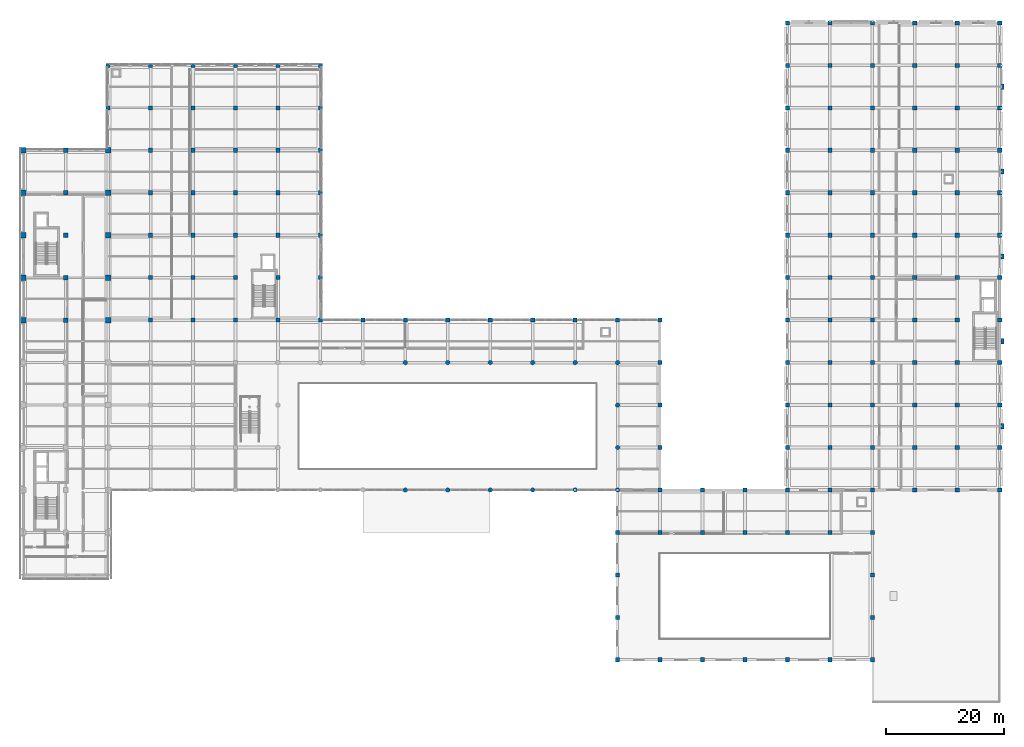
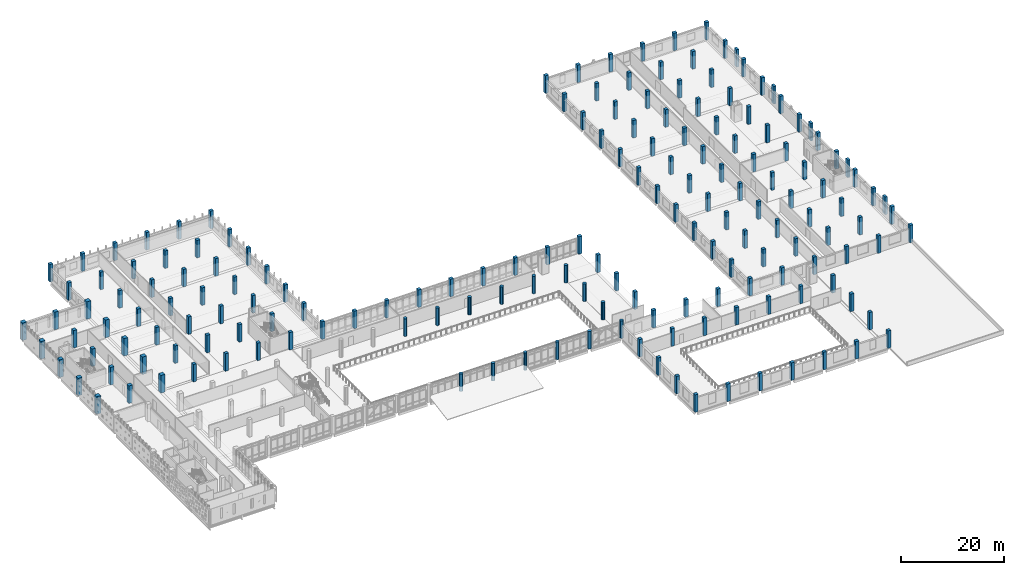
# One storey, part 3 of 57: 175 columns.
"""IFC4 building model written with IfcOpenShell, lengths in metres."""

from ifc_helpers import new_model, si_unit, direction, frame, origin, origin_2d, place, context, subcontext, project, spatial, rectangle, circle, extrude, material, material_profile, profile_set, type_object, element, save


model = new_model("IFC4")

# Units and contexts
model_context = context("Model", 3, precision=1e-05, world=origin(), true_north=direction((0.0, 1.0)))
body_context = subcontext(model_context, "Body", "Model", "MODEL_VIEW")
ifc_project = project(units=[si_unit("LENGTHUNIT", "METRE"), si_unit("AREAUNIT", "SQUARE_METRE"), si_unit("VOLUMEUNIT", "CUBIC_METRE"), si_unit("PLANEANGLEUNIT", "RADIAN"), si_unit("MASSUNIT", "GRAM", prefix="KILO")], contexts=[model_context])

# Site, building, storey
site_placement = place(None, origin())
site = spatial("IfcSite", under=ifc_project, at=site_placement, CompositionType="ELEMENT")
building_placement = place(site_placement, origin())
building = spatial("IfcBuilding", under=site, at=building_placement, Name="Valkovuoma Quantum and Materials Research Institute", CompositionType="ELEMENT")
storey_placement = place(building_placement, frame((0.0, 0.0, 4.800048828125)))
storey = spatial("IfcBuildingStorey", under=building, at=storey_placement, Name="L01", CompositionType="ELEMENT", Elevation=4.800048828125)

# Columns
ifc_material_1 = material(Name="Concrete C40/50", Category="concrete")
ifc_material_profile_1 = material_profile(ifc_material_1, rectangle(XDim=0.5, YDim=0.89990234375, at=origin_2d()), Name="Concrete C40/50")
ifc_profile_set_1 = profile_set([ifc_material_profile_1], Name="Concrete C40/50")
column_type_1 = type_object("IfcColumnType", Name="Col-C-PIL900", PredefinedType="PILASTER", material=ifc_profile_set_1)
for number, where, z_axis, x_axis, name in (
    (1, (166.080078125, 46.800048828125, 0.0), (0.0, 0.0, 1.0), (1.0, 0.0, 0.0), "L01 service spine pilaster 01"),
    (2, (166.080078125, 61.199951171875, 0.0), (0.0, 0.0, 1.0), (1.0, 0.0, 0.0), "L01 service spine pilaster 02"),
    (3, (166.080078125, 75.60009765625, 0.0), (0.0, 0.0, 1.0), (1.0, 0.0, 0.0), "L01 service spine pilaster 03"),
    (4, (166.080078125, 90.0, 0.0), (0.0, 0.0, 1.0), (1.0, 0.0, 0.0), "L01 service spine pilaster 04"),
    (5, (166.080078125, 104.39990234375, 0.0), (0.0, 0.0, 1.0), (1.0, 0.0, 0.0), "L01 service spine pilaster 05"),
):
    element("IfcColumn", number, at=place(storey_placement, frame(where, z_axis=z_axis, x_axis=x_axis)), inside=storey, type_object=column_type_1, Name=name, PredefinedType="PILASTER", context=body_context, shape_type="SweptSolid", body=[
        extrude(rectangle(XDim=0.5, YDim=0.89990234375, at=origin_2d()), origin(), (0.0, 0.0, 1.0), 4.159912109375),
    ])
ifc_material_2 = material(Name="Concrete C40/50", Category="concrete")
ifc_material_profile_2 = material_profile(ifc_material_2, rectangle(XDim=0.699951171875, YDim=0.699951171875, at=origin_2d()), Name="Concrete C40/50")
ifc_profile_set_2 = profile_set([ifc_material_profile_2], Name="Concrete C40/50")
column_type_2 = type_object("IfcColumnType", Name="Col-C-RC700", PredefinedType="COLUMN", material=ifc_profile_set_2)
for number, where, z_axis, x_axis, name in (
    (6, (14.39990234375, 100.800048828125, 0.0), (0.0, 0.0, 1.0), (1.0, 0.0, 0.0), "L01 column 03Q"),
    (7, (14.39990234375, 108.0, 0.0), (0.0, 0.0, 1.0), (1.0, 0.0, 0.0), "L01 column 03R"),
    (8, (21.60009765625, 64.800048828125, 0.0), (0.0, 0.0, 1.0), (1.0, 0.0, 0.0), "L01 column 04K"),
    (9, (21.60009765625, 72.0, 0.0), (0.0, 0.0, 1.0), (1.0, 0.0, 0.0), "L01 column 04L"),
    (10, (21.60009765625, 79.199951171875, 0.0), (0.0, 0.0, 1.0), (1.0, 0.0, 0.0), "L01 column 04M"),
    (11, (21.60009765625, 86.39990234375, 0.0), (0.0, 0.0, 1.0), (1.0, 0.0, 0.0), "L01 column 04N"),
    (12, (21.60009765625, 93.60009765625, 0.0), (0.0, 0.0, 1.0), (1.0, 0.0, 0.0), "L01 column 04P"),
    (13, (21.60009765625, 100.800048828125, 0.0), (0.0, 0.0, 1.0), (1.0, 0.0, 0.0), "L01 column 04Q"),
    (14, (21.60009765625, 108.0, 0.0), (0.0, 0.0, 1.0), (1.0, 0.0, 0.0), "L01 column 04R"),
    (15, (28.800048828125, 64.800048828125, 0.0), (0.0, 0.0, 1.0), (1.0, 0.0, 0.0), "L01 column 05K"),
    (16, (28.800048828125, 72.0, 0.0), (0.0, 0.0, 1.0), (1.0, 0.0, 0.0), "L01 column 05L"),
    (17, (28.800048828125, 79.199951171875, 0.0), (0.0, 0.0, 1.0), (1.0, 0.0, 0.0), "L01 column 05M"),
    (18, (28.800048828125, 86.39990234375, 0.0), (0.0, 0.0, 1.0), (1.0, 0.0, 0.0), "L01 column 05N"),
    (19, (28.800048828125, 93.60009765625, 0.0), (0.0, 0.0, 1.0), (1.0, 0.0, 0.0), "L01 column 05P"),
    (20, (28.800048828125, 100.800048828125, 0.0), (0.0, 0.0, 1.0), (1.0, 0.0, 0.0), "L01 column 05Q"),
    (21, (28.800048828125, 108.0, 0.0), (0.0, 0.0, 1.0), (1.0, 0.0, 0.0), "L01 column 05R"),
    (22, (36.0, 64.800048828125, 0.0), (0.0, 0.0, 1.0), (1.0, 0.0, 0.0), "L01 column 06K"),
    (23, (36.0, 72.0, 0.0), (0.0, 0.0, 1.0), (1.0, 0.0, 0.0), "L01 column 06L"),
    (24, (36.0, 79.199951171875, 0.0), (0.0, 0.0, 1.0), (1.0, 0.0, 0.0), "L01 column 06M"),
    (25, (36.0, 86.39990234375, 0.0), (0.0, 0.0, 1.0), (1.0, 0.0, 0.0), "L01 column 06N"),
    (26, (36.0, 93.60009765625, 0.0), (0.0, 0.0, 1.0), (1.0, 0.0, 0.0), "L01 column 06P"),
    (27, (36.0, 100.800048828125, 0.0), (0.0, 0.0, 1.0), (1.0, 0.0, 0.0), "L01 column 06Q"),
    (28, (36.0, 108.0, 0.0), (0.0, 0.0, 1.0), (1.0, 0.0, 0.0), "L01 column 06R"),
    (29, (43.199951171875, 64.800048828125, 0.0), (0.0, 0.0, 1.0), (1.0, 0.0, 0.0), "L01 column 07K"),
    (30, (43.199951171875, 72.0, 0.0), (0.0, 0.0, 1.0), (1.0, 0.0, 0.0), "L01 column 07L"),
    (31, (43.199951171875, 79.199951171875, 0.0), (0.0, 0.0, 1.0), (1.0, 0.0, 0.0), "L01 column 07M"),
    (32, (43.199951171875, 86.39990234375, 0.0), (0.0, 0.0, 1.0), (1.0, 0.0, 0.0), "L01 column 07N"),
    (33, (43.199951171875, 93.60009765625, 0.0), (0.0, 0.0, 1.0), (1.0, 0.0, 0.0), "L01 column 07P"),
    (34, (43.199951171875, 100.800048828125, 0.0), (0.0, 0.0, 1.0), (1.0, 0.0, 0.0), "L01 column 07Q"),
    (35, (43.199951171875, 108.0, 0.0), (0.0, 0.0, 1.0), (1.0, 0.0, 0.0), "L01 column 07R"),
    (36, (50.39990234375, 64.800048828125, 0.0), (0.0, 0.0, 1.0), (1.0, 0.0, 0.0), "L01 column 08K"),
    (37, (50.39990234375, 72.0, 0.0), (0.0, 0.0, 1.0), (1.0, 0.0, 0.0), "L01 column 08L"),
    (38, (50.39990234375, 79.199951171875, 0.0), (0.0, 0.0, 1.0), (1.0, 0.0, 0.0), "L01 column 08M"),
    (39, (50.39990234375, 86.39990234375, 0.0), (0.0, 0.0, 1.0), (1.0, 0.0, 0.0), "L01 column 08N"),
    (40, (50.39990234375, 93.60009765625, 0.0), (0.0, 0.0, 1.0), (1.0, 0.0, 0.0), "L01 column 08P"),
    (41, (50.39990234375, 100.800048828125, 0.0), (0.0, 0.0, 1.0), (1.0, 0.0, 0.0), "L01 column 08Q"),
    (42, (50.39990234375, 108.0, 0.0), (0.0, 0.0, 1.0), (1.0, 0.0, 0.0), "L01 column 08R"),
    (43, (57.60009765625, 64.800048828125, 0.0), (0.0, 0.0, 1.0), (1.0, 0.0, 0.0), "L01 column 09K"),
    (44, (64.800048828125, 64.800048828125, 0.0), (0.0, 0.0, 1.0), (1.0, 0.0, 0.0), "L01 column 10K"),
    (45, (72.0, 64.800048828125, 0.0), (0.0, 0.0, 1.0), (1.0, 0.0, 0.0), "L01 column 11K"),
    (46, (79.199951171875, 64.800048828125, 0.0), (0.0, 0.0, 1.0), (1.0, 0.0, 0.0), "L01 column 12K"),
    (47, (86.39990234375, 64.800048828125, 0.0), (0.0, 0.0, 1.0), (1.0, 0.0, 0.0), "L01 column 13K"),
    (48, (93.60009765625, 64.800048828125, 0.0), (0.0, 0.0, 1.0), (1.0, 0.0, 0.0), "L01 column 14K"),
    (49, (100.800048828125, 7.199951171875, 0.0), (0.0, 0.0, 1.0), (1.0, 0.0, 0.0), "L01 column 15B"),
    (50, (100.800048828125, 14.39990234375, 0.0), (0.0, 0.0, 1.0), (1.0, 0.0, 0.0), "L01 column 15C"),
    (51, (100.800048828125, 21.60009765625, 0.0), (0.0, 0.0, 1.0), (1.0, 0.0, 0.0), "L01 column 15D"),
    (52, (100.800048828125, 28.800048828125, 0.0), (0.0, 0.0, 1.0), (1.0, 0.0, 0.0), "L01 column 15E"),
    (53, (100.800048828125, 64.800048828125, 0.0), (0.0, 0.0, 1.0), (1.0, 0.0, 0.0), "L01 column 15K"),
    (54, (108.0, 7.199951171875, 0.0), (0.0, 0.0, 1.0), (1.0, 0.0, 0.0), "L01 column 16B"),
    (55, (108.0, 28.800048828125, 0.0), (0.0, 0.0, 1.0), (1.0, 0.0, 0.0), "L01 column 16E"),
    (56, (108.0, 36.0, 0.0), (0.0, 0.0, 1.0), (1.0, 0.0, 0.0), "L01 column 16F"),
    (57, (108.0, 43.199951171875, 0.0), (0.0, 0.0, 1.0), (1.0, 0.0, 0.0), "L01 column 16G"),
    (58, (108.0, 50.39990234375, 0.0), (0.0, 0.0, 1.0), (1.0, 0.0, 0.0), "L01 column 16H"),
    (59, (108.0, 57.60009765625, 0.0), (0.0, 0.0, 1.0), (1.0, 0.0, 0.0), "L01 column 16J"),
    (60, (108.0, 64.800048828125, 0.0), (0.0, 0.0, 1.0), (1.0, 0.0, 0.0), "L01 column 16K"),
    (61, (115.199951171875, 7.199951171875, 0.0), (0.0, 0.0, 1.0), (1.0, 0.0, 0.0), "L01 column 17B"),
    (62, (115.199951171875, 28.800048828125, 0.0), (0.0, 0.0, 1.0), (1.0, 0.0, 0.0), "L01 column 17E"),
    (63, (115.199951171875, 36.0, 0.0), (0.0, 0.0, 1.0), (1.0, 0.0, 0.0), "L01 column 17F"),
    (64, (122.39990234375, 7.199951171875, 0.0), (0.0, 0.0, 1.0), (1.0, 0.0, 0.0), "L01 column 18B"),
    (65, (122.39990234375, 28.800048828125, 0.0), (0.0, 0.0, 1.0), (1.0, 0.0, 0.0), "L01 column 18E"),
    (66, (122.39990234375, 36.0, 0.0), (0.0, 0.0, 1.0), (1.0, 0.0, 0.0), "L01 column 18F"),
    (67, (129.60009765625, 7.199951171875, 0.0), (0.0, 0.0, 1.0), (1.0, 0.0, 0.0), "L01 column 19B"),
    (68, (129.60009765625, 28.800048828125, 0.0), (0.0, 0.0, 1.0), (1.0, 0.0, 0.0), "L01 column 19E"),
    (69, (129.60009765625, 36.0, 0.0), (0.0, 0.0, 1.0), (1.0, 0.0, 0.0), "L01 column 19F"),
    (70, (129.60009765625, 43.199951171875, 0.0), (0.0, 0.0, 1.0), (1.0, 0.0, 0.0), "L01 column 19G"),
    (71, (129.60009765625, 50.39990234375, 0.0), (0.0, 0.0, 1.0), (1.0, 0.0, 0.0), "L01 column 19H"),
    (72, (129.60009765625, 57.60009765625, 0.0), (0.0, 0.0, 1.0), (1.0, 0.0, 0.0), "L01 column 19J"),
    (73, (129.60009765625, 64.800048828125, 0.0), (0.0, 0.0, 1.0), (1.0, 0.0, 0.0), "L01 column 19K"),
    (74, (129.60009765625, 72.0, 0.0), (0.0, 0.0, 1.0), (1.0, 0.0, 0.0), "L01 column 19L"),
    (75, (129.60009765625, 79.199951171875, 0.0), (0.0, 0.0, 1.0), (1.0, 0.0, 0.0), "L01 column 19M"),
    (76, (129.60009765625, 86.39990234375, 0.0), (0.0, 0.0, 1.0), (1.0, 0.0, 0.0), "L01 column 19N"),
    (77, (129.60009765625, 93.60009765625, 0.0), (0.0, 0.0, 1.0), (1.0, 0.0, 0.0), "L01 column 19P"),
    (78, (129.60009765625, 100.800048828125, 0.0), (0.0, 0.0, 1.0), (1.0, 0.0, 0.0), "L01 column 19Q"),
    (79, (129.60009765625, 108.0, 0.0), (0.0, 0.0, 1.0), (1.0, 0.0, 0.0), "L01 column 19R"),
    (80, (129.60009765625, 115.199951171875, 0.0), (0.0, 0.0, 1.0), (1.0, 0.0, 0.0), "L01 column 19S"),
    (81, (136.800048828125, 7.199951171875, 0.0), (0.0, 0.0, 1.0), (1.0, 0.0, 0.0), "L01 column 20B"),
    (82, (136.800048828125, 28.800048828125, 0.0), (0.0, 0.0, 1.0), (1.0, 0.0, 0.0), "L01 column 20E"),
    (83, (136.800048828125, 36.0, 0.0), (0.0, 0.0, 1.0), (1.0, 0.0, 0.0), "L01 column 20F"),
    (84, (136.800048828125, 43.199951171875, 0.0), (0.0, 0.0, 1.0), (1.0, 0.0, 0.0), "L01 column 20G"),
    (85, (136.800048828125, 50.39990234375, 0.0), (0.0, 0.0, 1.0), (1.0, 0.0, 0.0), "L01 column 20H"),
    (86, (136.800048828125, 57.60009765625, 0.0), (0.0, 0.0, 1.0), (1.0, 0.0, 0.0), "L01 column 20J"),
    (87, (136.800048828125, 64.800048828125, 0.0), (0.0, 0.0, 1.0), (1.0, 0.0, 0.0), "L01 column 20K"),
    (88, (136.800048828125, 72.0, 0.0), (0.0, 0.0, 1.0), (1.0, 0.0, 0.0), "L01 column 20L"),
    (89, (136.800048828125, 79.199951171875, 0.0), (0.0, 0.0, 1.0), (1.0, 0.0, 0.0), "L01 column 20M"),
    (90, (136.800048828125, 86.39990234375, 0.0), (0.0, 0.0, 1.0), (1.0, 0.0, 0.0), "L01 column 20N"),
    (91, (136.800048828125, 93.60009765625, 0.0), (0.0, 0.0, 1.0), (1.0, 0.0, 0.0), "L01 column 20P"),
    (92, (136.800048828125, 100.800048828125, 0.0), (0.0, 0.0, 1.0), (1.0, 0.0, 0.0), "L01 column 20Q"),
    (93, (136.800048828125, 108.0, 0.0), (0.0, 0.0, 1.0), (1.0, 0.0, 0.0), "L01 column 20R"),
    (94, (136.800048828125, 115.199951171875, 0.0), (0.0, 0.0, 1.0), (1.0, 0.0, 0.0), "L01 column 20S"),
    (95, (144.0, 7.199951171875, 0.0), (0.0, 0.0, 1.0), (1.0, 0.0, 0.0), "L01 column 21B"),
    (96, (144.0, 14.39990234375, 0.0), (0.0, 0.0, 1.0), (1.0, 0.0, 0.0), "L01 column 21C"),
    (97, (144.0, 21.60009765625, 0.0), (0.0, 0.0, 1.0), (1.0, 0.0, 0.0), "L01 column 21D"),
    (98, (144.0, 28.800048828125, 0.0), (0.0, 0.0, 1.0), (1.0, 0.0, 0.0), "L01 column 21E"),
    (99, (144.0, 36.0, 0.0), (0.0, 0.0, 1.0), (1.0, 0.0, 0.0), "L01 column 21F"),
    (100, (144.0, 43.199951171875, 0.0), (0.0, 0.0, 1.0), (1.0, 0.0, 0.0), "L01 column 21G"),
    (101, (144.0, 50.39990234375, 0.0), (0.0, 0.0, 1.0), (1.0, 0.0, 0.0), "L01 column 21H"),
    (102, (144.0, 57.60009765625, 0.0), (0.0, 0.0, 1.0), (1.0, 0.0, 0.0), "L01 column 21J"),
    (103, (144.0, 64.800048828125, 0.0), (0.0, 0.0, 1.0), (1.0, 0.0, 0.0), "L01 column 21K"),
    (104, (144.0, 72.0, 0.0), (0.0, 0.0, 1.0), (1.0, 0.0, 0.0), "L01 column 21L"),
    (105, (144.0, 79.199951171875, 0.0), (0.0, 0.0, 1.0), (1.0, 0.0, 0.0), "L01 column 21M"),
    (106, (144.0, 86.39990234375, 0.0), (0.0, 0.0, 1.0), (1.0, 0.0, 0.0), "L01 column 21N"),
    (107, (144.0, 93.60009765625, 0.0), (0.0, 0.0, 1.0), (1.0, 0.0, 0.0), "L01 column 21P"),
    (108, (144.0, 100.800048828125, 0.0), (0.0, 0.0, 1.0), (1.0, 0.0, 0.0), "L01 column 21Q"),
    (109, (144.0, 108.0, 0.0), (0.0, 0.0, 1.0), (1.0, 0.0, 0.0), "L01 column 21R"),
    (110, (144.0, 115.199951171875, 0.0), (0.0, 0.0, 1.0), (1.0, 0.0, 0.0), "L01 column 21S"),
    (111, (151.199951171875, 36.0, 0.0), (0.0, 0.0, 1.0), (1.0, 0.0, 0.0), "L01 column 22F"),
    (112, (151.199951171875, 43.199951171875, 0.0), (0.0, 0.0, 1.0), (1.0, 0.0, 0.0), "L01 column 22G"),
    (113, (151.199951171875, 50.39990234375, 0.0), (0.0, 0.0, 1.0), (1.0, 0.0, 0.0), "L01 column 22H"),
    (114, (151.199951171875, 57.60009765625, 0.0), (0.0, 0.0, 1.0), (1.0, 0.0, 0.0), "L01 column 22J"),
    (115, (151.199951171875, 64.800048828125, 0.0), (0.0, 0.0, 1.0), (1.0, 0.0, 0.0), "L01 column 22K"),
    (116, (151.199951171875, 72.0, 0.0), (0.0, 0.0, 1.0), (1.0, 0.0, 0.0), "L01 column 22L"),
    (117, (151.199951171875, 79.199951171875, 0.0), (0.0, 0.0, 1.0), (1.0, 0.0, 0.0), "L01 column 22M"),
    (118, (151.199951171875, 86.39990234375, 0.0), (0.0, 0.0, 1.0), (1.0, 0.0, 0.0), "L01 column 22N"),
    (119, (151.199951171875, 93.60009765625, 0.0), (0.0, 0.0, 1.0), (1.0, 0.0, 0.0), "L01 column 22P"),
    (120, (151.199951171875, 100.800048828125, 0.0), (0.0, 0.0, 1.0), (1.0, 0.0, 0.0), "L01 column 22Q"),
    (121, (151.199951171875, 108.0, 0.0), (0.0, 0.0, 1.0), (1.0, 0.0, 0.0), "L01 column 22R"),
    (122, (151.199951171875, 115.199951171875, 0.0), (0.0, 0.0, 1.0), (1.0, 0.0, 0.0), "L01 column 22S"),
    (123, (158.39990234375, 36.0, 0.0), (0.0, 0.0, 1.0), (1.0, 0.0, 0.0), "L01 column 23F"),
    (124, (158.39990234375, 43.199951171875, 0.0), (0.0, 0.0, 1.0), (1.0, 0.0, 0.0), "L01 column 23G"),
    (125, (158.39990234375, 50.39990234375, 0.0), (0.0, 0.0, 1.0), (1.0, 0.0, 0.0), "L01 column 23H"),
    (126, (158.39990234375, 57.60009765625, 0.0), (0.0, 0.0, 1.0), (1.0, 0.0, 0.0), "L01 column 23J"),
    (127, (158.39990234375, 64.800048828125, 0.0), (0.0, 0.0, 1.0), (1.0, 0.0, 0.0), "L01 column 23K"),
    (128, (158.39990234375, 72.0, 0.0), (0.0, 0.0, 1.0), (1.0, 0.0, 0.0), "L01 column 23L"),
    (129, (158.39990234375, 79.199951171875, 0.0), (0.0, 0.0, 1.0), (1.0, 0.0, 0.0), "L01 column 23M"),
    (130, (158.39990234375, 86.39990234375, 0.0), (0.0, 0.0, 1.0), (1.0, 0.0, 0.0), "L01 column 23N"),
    (131, (158.39990234375, 93.60009765625, 0.0), (0.0, 0.0, 1.0), (1.0, 0.0, 0.0), "L01 column 23P"),
    (132, (158.39990234375, 100.800048828125, 0.0), (0.0, 0.0, 1.0), (1.0, 0.0, 0.0), "L01 column 23Q"),
    (133, (158.39990234375, 108.0, 0.0), (0.0, 0.0, 1.0), (1.0, 0.0, 0.0), "L01 column 23R"),
    (134, (158.39990234375, 115.199951171875, 0.0), (0.0, 0.0, 1.0), (1.0, 0.0, 0.0), "L01 column 23S"),
    (135, (165.60009765625, 36.0, 0.0), (0.0, 0.0, 1.0), (1.0, 0.0, 0.0), "L01 column 24F"),
    (136, (165.60009765625, 43.199951171875, 0.0), (0.0, 0.0, 1.0), (1.0, 0.0, 0.0), "L01 column 24G"),
    (137, (165.60009765625, 50.39990234375, 0.0), (0.0, 0.0, 1.0), (1.0, 0.0, 0.0), "L01 column 24H"),
    (138, (165.60009765625, 57.60009765625, 0.0), (0.0, 0.0, 1.0), (1.0, 0.0, 0.0), "L01 column 24J"),
    (139, (165.60009765625, 64.800048828125, 0.0), (0.0, 0.0, 1.0), (1.0, 0.0, 0.0), "L01 column 24K"),
    (140, (165.60009765625, 72.0, 0.0), (0.0, 0.0, 1.0), (1.0, 0.0, 0.0), "L01 column 24L"),
    (141, (165.60009765625, 79.199951171875, 0.0), (0.0, 0.0, 1.0), (1.0, 0.0, 0.0), "L01 column 24M"),
    (142, (165.60009765625, 86.39990234375, 0.0), (0.0, 0.0, 1.0), (1.0, 0.0, 0.0), "L01 column 24N"),
    (143, (165.60009765625, 93.60009765625, 0.0), (0.0, 0.0, 1.0), (1.0, 0.0, 0.0), "L01 column 24P"),
    (144, (165.60009765625, 100.800048828125, 0.0), (0.0, 0.0, 1.0), (1.0, 0.0, 0.0), "L01 column 24Q"),
    (145, (165.60009765625, 108.0, 0.0), (0.0, 0.0, 1.0), (1.0, 0.0, 0.0), "L01 column 24R"),
    (146, (165.60009765625, 115.199951171875, 0.0), (0.0, 0.0, 1.0), (1.0, 0.0, 0.0), "L01 column 24S"),
):
    element("IfcColumn", number, at=place(storey_placement, frame(where, z_axis=z_axis, x_axis=x_axis)), inside=storey, type_object=column_type_2, Name=name, PredefinedType="COLUMN", context=body_context, shape_type="SweptSolid", body=[
        extrude(rectangle(XDim=0.699951171875, YDim=0.699951171875, at=origin_2d()), origin(), (0.0, 0.0, 1.0), 4.159912109375),
    ])
ifc_material_3 = material(Name="Concrete C50/60", Category="concrete")
ifc_material_profile_3 = material_profile(ifc_material_3, rectangle(XDim=0.800048828125, YDim=0.800048828125, at=origin_2d()), Name="Concrete C50/60")
ifc_profile_set_3 = profile_set([ifc_material_profile_3], Name="Concrete C50/60")
column_type_3 = type_object("IfcColumnType", Name="Col-C-RC800", PredefinedType="COLUMN", material=ifc_profile_set_3)
for number, where, z_axis, x_axis, name in (
    (147, (7.199951171875, 64.800048828125, 0.0), (0.0, 0.0, 1.0), (1.0, 0.0, 0.0), "L01 column 02K"),
    (148, (7.199951171875, 72.0, 0.0), (0.0, 0.0, 1.0), (1.0, 0.0, 0.0), "L01 column 02L"),
    (149, (7.199951171875, 79.199951171875, 0.0), (0.0, 0.0, 1.0), (1.0, 0.0, 0.0), "L01 column 02M"),
    (150, (7.199951171875, 86.39990234375, 0.0), (0.0, 0.0, 1.0), (1.0, 0.0, 0.0), "L01 column 02N"),
    (151, (7.199951171875, 93.60009765625, 0.0), (0.0, 0.0, 1.0), (1.0, 0.0, 0.0), "L01 column 02P"),
):
    element("IfcColumn", number, at=place(storey_placement, frame(where, z_axis=z_axis, x_axis=x_axis)), inside=storey, type_object=column_type_3, Name=name, PredefinedType="COLUMN", context=body_context, shape_type="SweptSolid", body=[
        extrude(rectangle(XDim=0.800048828125, YDim=0.800048828125, at=origin_2d()), origin(), (0.0, 0.0, 1.0), 4.159912109375),
    ])
ifc_material_4 = material(Name="Concrete C50/60", Category="concrete")
ifc_material_profile_4 = material_profile(ifc_material_4, rectangle(XDim=0.89990234375, YDim=0.89990234375, at=origin_2d()), Name="Concrete C50/60")
ifc_profile_set_4 = profile_set([ifc_material_profile_4], Name="Concrete C50/60")
column_type_4 = type_object("IfcColumnType", Name="Col-C-RC900", PredefinedType="COLUMN", material=ifc_profile_set_4)
for number, where, z_axis, x_axis, name in (
    (152, (0.0, 64.800048828125, 0.0), (0.0, 0.0, 1.0), (1.0, 0.0, 0.0), "L01 column 01K"),
    (153, (0.0, 72.0, 0.0), (0.0, 0.0, 1.0), (1.0, 0.0, 0.0), "L01 column 01L"),
    (154, (0.0, 79.199951171875, 0.0), (0.0, 0.0, 1.0), (1.0, 0.0, 0.0), "L01 column 01M"),
    (155, (0.0, 86.39990234375, 0.0), (0.0, 0.0, 1.0), (1.0, 0.0, 0.0), "L01 column 01N"),
    (156, (0.0, 93.60009765625, 0.0), (0.0, 0.0, 1.0), (1.0, 0.0, 0.0), "L01 column 01P"),
    (157, (14.39990234375, 64.800048828125, 0.0), (0.0, 0.0, 1.0), (1.0, 0.0, 0.0), "L01 column 03K"),
    (158, (14.39990234375, 72.0, 0.0), (0.0, 0.0, 1.0), (1.0, 0.0, 0.0), "L01 column 03L"),
    (159, (14.39990234375, 79.199951171875, 0.0), (0.0, 0.0, 1.0), (1.0, 0.0, 0.0), "L01 column 03M"),
    (160, (14.39990234375, 86.39990234375, 0.0), (0.0, 0.0, 1.0), (1.0, 0.0, 0.0), "L01 column 03N"),
    (161, (14.39990234375, 93.60009765625, 0.0), (0.0, 0.0, 1.0), (1.0, 0.0, 0.0), "L01 column 03P"),
):
    element("IfcColumn", number, at=place(storey_placement, frame(where, z_axis=z_axis, x_axis=x_axis)), inside=storey, type_object=column_type_4, Name=name, PredefinedType="COLUMN", context=body_context, shape_type="SweptSolid", body=[
        extrude(rectangle(XDim=0.89990234375, YDim=0.89990234375, at=origin_2d()), origin(), (0.0, 0.0, 1.0), 4.159912109375),
    ])
ifc_material_5 = material(Name="Concrete C50/60", Category="concrete")
ifc_material_profile_5 = material_profile(ifc_material_5, circle(Radius=0.375, at=origin_2d()), Name="Concrete C50/60")
ifc_profile_set_5 = profile_set([ifc_material_profile_5], Name="Concrete C50/60")
column_type_5 = type_object("IfcColumnType", Name="Col-C-RCD750", PredefinedType="COLUMN", material=ifc_profile_set_5)
for number, where, z_axis, x_axis, name in (
    (162, (64.800048828125, 36.0, 0.0), (0.0, 0.0, 1.0), (1.0, 0.0, 0.0), "L01 column 10F"),
    (163, (64.800048828125, 57.60009765625, 0.0), (0.0, 0.0, 1.0), (1.0, 0.0, 0.0), "L01 column 10J"),
    (164, (72.0, 36.0, 0.0), (0.0, 0.0, 1.0), (1.0, 0.0, 0.0), "L01 column 11F"),
    (165, (72.0, 57.60009765625, 0.0), (0.0, 0.0, 1.0), (1.0, 0.0, 0.0), "L01 column 11J"),
    (166, (79.199951171875, 36.0, 0.0), (0.0, 0.0, 1.0), (1.0, 0.0, 0.0), "L01 column 12F"),
    (167, (79.199951171875, 57.60009765625, 0.0), (0.0, 0.0, 1.0), (1.0, 0.0, 0.0), "L01 column 12J"),
    (168, (86.39990234375, 36.0, 0.0), (0.0, 0.0, 1.0), (1.0, 0.0, 0.0), "L01 column 13F"),
    (169, (86.39990234375, 57.60009765625, 0.0), (0.0, 0.0, 1.0), (1.0, 0.0, 0.0), "L01 column 13J"),
    (170, (93.60009765625, 36.0, 0.0), (0.0, 0.0, 1.0), (1.0, 0.0, 0.0), "L01 column 14F"),
    (171, (93.60009765625, 57.60009765625, 0.0), (0.0, 0.0, 1.0), (1.0, 0.0, 0.0), "L01 column 14J"),
    (172, (100.800048828125, 36.0, 0.0), (0.0, 0.0, 1.0), (1.0, 0.0, 0.0), "L01 column 15F"),
    (173, (100.800048828125, 43.199951171875, 0.0), (0.0, 0.0, 1.0), (1.0, 0.0, 0.0), "L01 column 15G"),
    (174, (100.800048828125, 50.39990234375, 0.0), (0.0, 0.0, 1.0), (1.0, 0.0, 0.0), "L01 column 15H"),
    (175, (100.800048828125, 57.60009765625, 0.0), (0.0, 0.0, 1.0), (1.0, 0.0, 0.0), "L01 column 15J"),
):
    element("IfcColumn", number, at=place(storey_placement, frame(where, z_axis=z_axis, x_axis=x_axis)), inside=storey, type_object=column_type_5, Name=name, PredefinedType="COLUMN", context=body_context, shape_type="SweptSolid", body=[
        extrude(circle(Radius=0.375, at=origin_2d()), origin(), (0.0, 0.0, 1.0), 4.159912109375),
    ])

save(model, "model.ifc")
